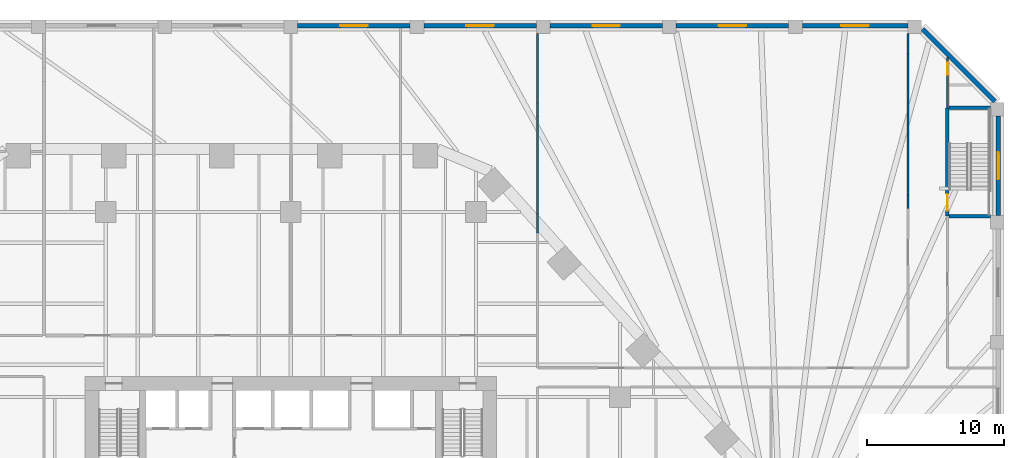
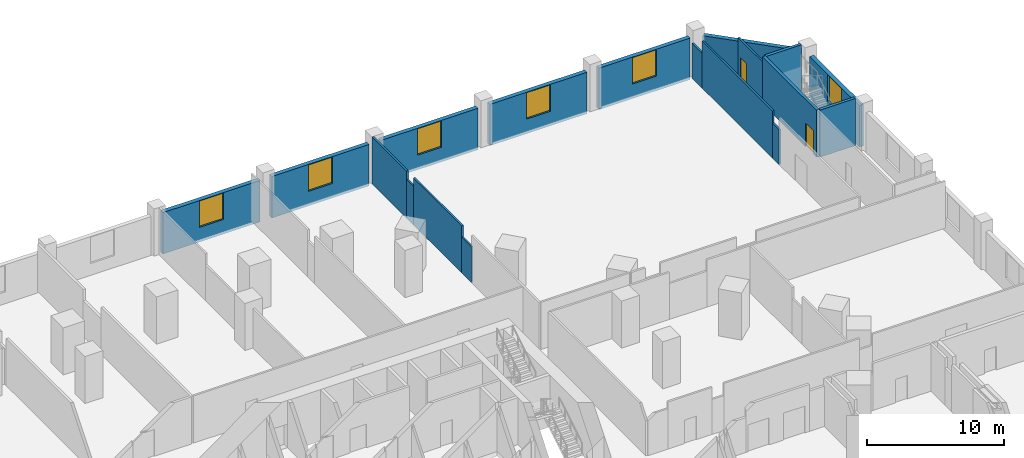
# One storey, part 24 of 32: 18 walls, 6 windows, 2 doors, 8 openings.
"""IFC4 building model written with IfcOpenShell, lengths in metres."""

from ifc_helpers import new_model, si_unit, direction, frame, frame_2d, origin, place, context, subcontext, project, spatial, rectangle, extrude, material, layer, layer_set, type_object, element, fill, save


model = new_model("IFC4")

# Units and contexts
model_context = context("Model", 3, precision=1e-05, world=origin(), true_north=direction((0.0, 1.0)))
body_context = subcontext(model_context, "Body", "Model", "MODEL_VIEW")
ifc_project = project(units=[si_unit("LENGTHUNIT", "METRE"), si_unit("AREAUNIT", "SQUARE_METRE"), si_unit("VOLUMEUNIT", "CUBIC_METRE"), si_unit("PLANEANGLEUNIT", "RADIAN"), si_unit("MASSUNIT", "GRAM", prefix="KILO")], contexts=[model_context])

# Site, building, storey
site_placement = place(None, origin())
site = spatial("IfcSite", under=ifc_project, at=site_placement, CompositionType="ELEMENT")
building_placement = place(site_placement, origin())
building = spatial("IfcBuilding", under=site, at=building_placement, Name="Isthmus Gate Tower", CompositionType="ELEMENT")
storey_placement = place(building_placement, frame((0.0, 0.0, 18.0)))
storey = spatial("IfcBuildingStorey", under=building, at=storey_placement, Name="L02", CompositionType="ELEMENT", Elevation=18.0)

# Walls
ifc_material_1 = material(Name="Fire-rated gypsum board on steel studs", Category="steel")
ifc_layer_1 = layer(ifc_material_1, 0.14990234375)
ifc_layer_set_1 = layer_set([ifc_layer_1], Name="Fire-rated partition 150 EI 60")
wall_type_1 = type_object("IfcWallType", Name="Fire-rated partition 150 EI 60", PredefinedType="PARTITIONING", material=ifc_layer_set_1)
wall_1_placement = place(storey_placement, frame((45.0, 27.242919921875, 0.0), z_axis=(0.0, 0.0, 1.0), x_axis=(0.0, 1.0, 0.0)))
element("IfcWall", 1, at=wall_1_placement, inside=storey, type_object=wall_type_1, Name="Fire-rated partition", PredefinedType="PARTITIONING", context=body_context, shape_type="SweptSolid", body=[
    extrude(rectangle(XDim=1.0, YDim=0.14990234375, at=frame_2d((0.5, 0.0))), origin(), (0.0, 0.0, 1.0), 3.111083984375),
])
wall_2_placement = place(storey_placement, frame((45.0, 28.242919921875, 0.0), z_axis=(0.0, 0.0, 1.0), x_axis=(0.0, 1.0, 0.0)))
element("IfcWall", 2, at=wall_2_placement, inside=storey, type_object=wall_type_1, Name="Fire-rated partition", PredefinedType="PARTITIONING", context=body_context, shape_type="SweptSolid", body=[
    extrude(rectangle(XDim=10.28759765625, YDim=0.14990234375, at=frame_2d((5.143798828125, 0.0))), origin(), (0.0, 0.0, 1.0), 4.199951171875),
])
wall_3_placement = place(storey_placement, frame((45.0, 38.530517578125, 0.0), z_axis=(0.0, 0.0, 1.0), x_axis=(0.0, 1.0, 0.0)))
element("IfcWall", 3, at=wall_3_placement, inside=storey, type_object=wall_type_1, Name="Fire-rated partition", PredefinedType="PARTITIONING", context=body_context, shape_type="SweptSolid", body=[
    extrude(rectangle(XDim=1.469482421875, YDim=0.14990234375, at=frame_2d((0.73486328125, 0.0))), origin(), (0.0, 0.0, 1.0), 3.111083984375),
])

# Wall, opening, door
wall_4_placement = place(storey_placement, frame((47.875, 34.60009765625, 0.0), z_axis=(0.0, 0.0, 1.0), x_axis=(0.0, 1.0, 0.0)))
wall_4 = element("IfcWall", 4, at=wall_4_placement, inside=storey, type_object=wall_type_1, Name="Fire-rated partition", PredefinedType="PARTITIONING", context=body_context, shape_type="SweptSolid", body=[
    extrude(rectangle(XDim=3.676513671875, YDim=0.14990234375, at=frame_2d((1.83837890625, 0.0))), origin(), (0.0, 0.0, 1.0), 3.66650390625),
])
opening_1_placement = place(wall_4_placement, frame((2.39990234375, 0.0, 0.0)))
opening_1 = element("IfcOpeningElement", 5, at=opening_1_placement, cuts=wall_4, Name="Opening DP02-06", PredefinedType="OPENING", context=body_context, shape_type="SweptSolid", body=[
    extrude(rectangle(XDim=0.89990234375, YDim=2.10009765625, at=frame_2d((0.449951171875, 1.050048828125))), frame((0.0, 0.0849609375, 0.0), z_axis=(0.0, -1.0, 0.0), x_axis=(1.0, 0.0, 0.0)), (0.0, 0.0, 1.0), 0.169921875),
])
ifc_material_2 = material(Name="Steel fire door with intumescent seals", Category="steel")
door_type_1 = type_object("IfcDoorType", Name="Fire door 900 x 2100", OperationType="SINGLE_SWING_LEFT", PredefinedType="DOOR", material=ifc_material_2)
door_1_placement = place(opening_1_placement, origin())
door_1 = element("IfcDoor", 6, at=door_1_placement, inside=storey, type_object=door_type_1, Name="Door DP02-06", OperationType="SINGLE_SWING_LEFT", OverallHeight=2.10009765625, OverallWidth=0.89990234375, PredefinedType="DOOR", context=body_context, shape_type="SweptSolid", body=[
    extrude(rectangle(XDim=0.89990234375, YDim=2.10009765625, at=frame_2d((0.449951171875, 1.050048828125))), frame((0.0, 0.02490234375, 0.0), z_axis=(0.0, -1.0, 0.0), x_axis=(1.0, 0.0, 0.0)), (0.0, 0.0, 1.0), 0.050048828125),
])
fill(opening_1, door_1)

# Wall, opening, window
ifc_material_3 = material(Name="Precast concrete C40/50, limestone-faced", Category="masonry")
ifc_layer_2 = layer(ifc_material_3, 0.35009765625)
ifc_layer_set_2 = layer_set([ifc_layer_2], Name="PODIUM CLADDING WALL 350")
wall_type_2 = type_object("IfcWallType", Name="PODIUM CLADDING WALL 350", PredefinedType="SOLIDWALL", material=ifc_layer_set_2)
wall_5_placement = place(storey_placement, frame((51.574951171875, 26.75, -0.39990234375), z_axis=(0.0, 0.0, 1.0), x_axis=(0.0, 1.0, 0.0)))
wall_5 = element("IfcWall", 7, at=wall_5_placement, inside=storey, type_object=wall_type_2, Name="PODIUM WALL", PredefinedType="SOLIDWALL", context=body_context, shape_type="SweptSolid", body=[
    extrude(rectangle(XDim=7.25, YDim=0.35009765625, at=frame_2d((3.625, 0.0))), origin(), (0.0, 0.0, 1.0), 3.699951171875),
])
opening_2_placement = place(wall_5_placement, frame((2.625, 0.0, 1.300048828125)))
opening_2 = element("IfcOpeningElement", 8, at=opening_2_placement, cuts=wall_5, Name="Opening W016", PredefinedType="OPENING", context=body_context, shape_type="SweptSolid", body=[
    extrude(rectangle(XDim=2.0, YDim=2.35009765625, at=frame_2d((1.0, 1.175048828125))), frame((0.0, 0.18505859375, 0.0), z_axis=(0.0, -1.0, 0.0), x_axis=(1.0, 0.0, 0.0)), (0.0, 0.0, 1.0), 0.3701171875),
])
ifc_material_4 = material(Name="Aluminium, pale champagne anodised, laminated glass", Category="aluminium")
window_type = type_object("IfcWindowType", Name="PODIUM SLOT WINDOW 2000 X 2350", PartitioningType="SINGLE_PANEL", PredefinedType="WINDOW", material=ifc_material_4)
window_1_placement = place(opening_2_placement, origin())
window_1 = element("IfcWindow", 9, at=window_1_placement, inside=storey, type_object=window_type, Name="SLOT WINDOW", OverallHeight=2.35009765625, OverallWidth=2.0, PartitioningType="SINGLE_PANEL", PredefinedType="WINDOW", context=body_context, shape_type="SweptSolid", body=[
    extrude(rectangle(XDim=2.0, YDim=2.35009765625, at=frame_2d((1.0, 1.175048828125))), frame((0.0, 0.030029296875, 0.0), z_axis=(0.0, -1.0, 0.0), x_axis=(1.0, 0.0, 0.0)), (0.0, 0.0, 1.0), 0.06005859375),
])
fill(opening_2, window_1)

# Wall
wall_6_placement = place(storey_placement, frame((51.327392578125, 35.071533203125, -0.39990234375), z_axis=(0.0, 0.0, 1.0), x_axis=(-0.707106781187, 0.707106781187, 0.0)))
element("IfcWall", 10, at=wall_6_placement, inside=storey, type_object=wall_type_2, Name="PODIUM WALL", PredefinedType="SOLIDWALL", context=body_context, shape_type="SweptSolid", body=[
    extrude(rectangle(XDim=7.432861328125, YDim=0.35009765625, at=frame_2d((3.71630859375, 0.0))), origin(), (0.0, 0.0, 1.0), 3.699951171875),
])

# Wall, opening, window
wall_7_placement = place(storey_placement, frame((45.0, 40.574951171875, -0.39990234375), z_axis=(0.0, 0.0, 1.0), x_axis=(-1.0, 0.0, 0.0)))
wall_7 = element("IfcWall", 11, at=wall_7_placement, inside=storey, type_object=wall_type_2, Name="PODIUM WALL", PredefinedType="SOLIDWALL", context=body_context, shape_type="SweptSolid", body=[
    extrude(rectangle(XDim=7.699951171875, YDim=0.35009765625, at=frame_2d((3.85009765625, 0.0))), origin(), (0.0, 0.0, 1.0), 3.699951171875),
])
opening_3_placement = place(wall_7_placement, frame((2.85009765625, 0.0, 1.300048828125)))
opening_3 = element("IfcOpeningElement", 12, at=opening_3_placement, cuts=wall_7, Name="Opening W017", PredefinedType="OPENING", context=body_context, shape_type="SweptSolid", body=[
    extrude(rectangle(XDim=2.0, YDim=2.35009765625, at=frame_2d((1.0, 1.175048828125))), frame((0.0, 0.18505859375, 0.0), z_axis=(0.0, -1.0, 0.0), x_axis=(1.0, 0.0, 0.0)), (0.0, 0.0, 1.0), 0.3701171875),
])
window_2_placement = place(opening_3_placement, origin())
window_2 = element("IfcWindow", 13, at=window_2_placement, inside=storey, type_object=window_type, Name="SLOT WINDOW", OverallHeight=2.35009765625, OverallWidth=2.0, PartitioningType="SINGLE_PANEL", PredefinedType="WINDOW", context=body_context, shape_type="SweptSolid", body=[
    extrude(rectangle(XDim=2.0, YDim=2.35009765625, at=frame_2d((1.0, 1.175048828125))), frame((0.0, 0.030029296875, 0.0), z_axis=(0.0, -1.0, 0.0), x_axis=(1.0, 0.0, 0.0)), (0.0, 0.0, 1.0), 0.06005859375),
])
fill(opening_3, window_2)

wall_8_placement = place(storey_placement, frame((36.300048828125, 40.574951171875, -0.39990234375), z_axis=(0.0, 0.0, 1.0), x_axis=(-1.0, 0.0, 0.0)))
wall_8 = element("IfcWall", 14, at=wall_8_placement, inside=storey, type_object=wall_type_2, Name="PODIUM WALL", PredefinedType="SOLIDWALL", context=body_context, shape_type="SweptSolid", body=[
    extrude(rectangle(XDim=8.199951171875, YDim=0.35009765625, at=frame_2d((4.10009765625, 0.0))), origin(), (0.0, 0.0, 1.0), 3.699951171875),
])
opening_4_placement = place(wall_8_placement, frame((3.10009765625, 0.0, 1.300048828125)))
opening_4 = element("IfcOpeningElement", 15, at=opening_4_placement, cuts=wall_8, Name="Opening W018", PredefinedType="OPENING", context=body_context, shape_type="SweptSolid", body=[
    extrude(rectangle(XDim=2.0, YDim=2.35009765625, at=frame_2d((1.0, 1.175048828125))), frame((0.0, 0.18505859375, 0.0), z_axis=(0.0, -1.0, 0.0), x_axis=(1.0, 0.0, 0.0)), (0.0, 0.0, 1.0), 0.3701171875),
])
window_3_placement = place(opening_4_placement, origin())
window_3 = element("IfcWindow", 16, at=window_3_placement, inside=storey, type_object=window_type, Name="SLOT WINDOW", OverallHeight=2.35009765625, OverallWidth=2.0, PartitioningType="SINGLE_PANEL", PredefinedType="WINDOW", context=body_context, shape_type="SweptSolid", body=[
    extrude(rectangle(XDim=2.0, YDim=2.35009765625, at=frame_2d((1.0, 1.175048828125))), frame((0.0, 0.030029296875, 0.0), z_axis=(0.0, -1.0, 0.0), x_axis=(1.0, 0.0, 0.0)), (0.0, 0.0, 1.0), 0.06005859375),
])
fill(opening_4, window_3)

wall_9_placement = place(storey_placement, frame((27.10009765625, 40.574951171875, -0.39990234375), z_axis=(0.0, 0.0, 1.0), x_axis=(-1.0, 0.0, 0.0)))
wall_9 = element("IfcWall", 17, at=wall_9_placement, inside=storey, type_object=wall_type_2, Name="PODIUM WALL", PredefinedType="SOLIDWALL", context=body_context, shape_type="SweptSolid", body=[
    extrude(rectangle(XDim=8.2001953125, YDim=0.35009765625, at=frame_2d((4.10009765625, 0.0))), origin(), (0.0, 0.0, 1.0), 3.699951171875),
])
opening_5_placement = place(wall_9_placement, frame((3.10009765625, 0.0, 1.300048828125)))
opening_5 = element("IfcOpeningElement", 18, at=opening_5_placement, cuts=wall_9, Name="Opening W019", PredefinedType="OPENING", context=body_context, shape_type="SweptSolid", body=[
    extrude(rectangle(XDim=2.0, YDim=2.35009765625, at=frame_2d((1.0, 1.175048828125))), frame((0.0, 0.18505859375, 0.0), z_axis=(0.0, -1.0, 0.0), x_axis=(1.0, 0.0, 0.0)), (0.0, 0.0, 1.0), 0.3701171875),
])
window_4_placement = place(opening_5_placement, origin())
window_4 = element("IfcWindow", 19, at=window_4_placement, inside=storey, type_object=window_type, Name="SLOT WINDOW", OverallHeight=2.35009765625, OverallWidth=2.0, PartitioningType="SINGLE_PANEL", PredefinedType="WINDOW", context=body_context, shape_type="SweptSolid", body=[
    extrude(rectangle(XDim=2.0, YDim=2.35009765625, at=frame_2d((1.0, 1.175048828125))), frame((0.0, 0.030029296875, 0.0), z_axis=(0.0, -1.0, 0.0), x_axis=(1.0, 0.0, 0.0)), (0.0, 0.0, 1.0), 0.06005859375),
])
fill(opening_5, window_4)

wall_10_placement = place(storey_placement, frame((17.89990234375, 40.574951171875, -0.39990234375), z_axis=(0.0, 0.0, 1.0), x_axis=(-1.0, 0.0, 0.0)))
wall_10 = element("IfcWall", 20, at=wall_10_placement, inside=storey, type_object=wall_type_2, Name="PODIUM WALL", PredefinedType="SOLIDWALL", context=body_context, shape_type="SweptSolid", body=[
    extrude(rectangle(XDim=8.199951171875, YDim=0.35009765625, at=frame_2d((4.10009765625, 0.0))), origin(), (0.0, 0.0, 1.0), 3.699951171875),
])
opening_6_placement = place(wall_10_placement, frame((3.10009765625, 0.0, 1.300048828125)))
opening_6 = element("IfcOpeningElement", 21, at=opening_6_placement, cuts=wall_10, Name="Opening W020", PredefinedType="OPENING", context=body_context, shape_type="SweptSolid", body=[
    extrude(rectangle(XDim=2.0, YDim=2.35009765625, at=frame_2d((1.0, 1.175048828125))), frame((0.0, 0.18505859375, 0.0), z_axis=(0.0, -1.0, 0.0), x_axis=(1.0, 0.0, 0.0)), (0.0, 0.0, 1.0), 0.3701171875),
])
window_5_placement = place(opening_6_placement, origin())
window_5 = element("IfcWindow", 22, at=window_5_placement, inside=storey, type_object=window_type, Name="SLOT WINDOW", OverallHeight=2.35009765625, OverallWidth=2.0, PartitioningType="SINGLE_PANEL", PredefinedType="WINDOW", context=body_context, shape_type="SweptSolid", body=[
    extrude(rectangle(XDim=2.0, YDim=2.35009765625, at=frame_2d((1.0, 1.175048828125))), frame((0.0, 0.030029296875, 0.0), z_axis=(0.0, -1.0, 0.0), x_axis=(1.0, 0.0, 0.0)), (0.0, 0.0, 1.0), 0.06005859375),
])
fill(opening_6, window_5)

wall_11_placement = place(storey_placement, frame((8.699951171875, 40.574951171875, -0.39990234375), z_axis=(0.0, 0.0, 1.0), x_axis=(-1.0, 0.0, 0.0)))
wall_11 = element("IfcWall", 23, at=wall_11_placement, inside=storey, type_object=wall_type_2, Name="PODIUM WALL", PredefinedType="SOLIDWALL", context=body_context, shape_type="SweptSolid", body=[
    extrude(rectangle(XDim=8.199951171875, YDim=0.35009765625, at=frame_2d((4.10009765625, 0.0))), origin(), (0.0, 0.0, 1.0), 3.699951171875),
])
opening_7_placement = place(wall_11_placement, frame((3.10009765625, 0.0, 1.300048828125)))
opening_7 = element("IfcOpeningElement", 24, at=opening_7_placement, cuts=wall_11, Name="Opening W021", PredefinedType="OPENING", context=body_context, shape_type="SweptSolid", body=[
    extrude(rectangle(XDim=2.0, YDim=2.35009765625, at=frame_2d((1.0, 1.175048828125))), frame((0.0, 0.18505859375, 0.0), z_axis=(0.0, -1.0, 0.0), x_axis=(1.0, 0.0, 0.0)), (0.0, 0.0, 1.0), 0.3701171875),
])
window_6_placement = place(opening_7_placement, origin())
window_6 = element("IfcWindow", 25, at=window_6_placement, inside=storey, type_object=window_type, Name="SLOT WINDOW", OverallHeight=2.35009765625, OverallWidth=2.0, PartitioningType="SINGLE_PANEL", PredefinedType="WINDOW", context=body_context, shape_type="SweptSolid", body=[
    extrude(rectangle(XDim=2.0, YDim=2.35009765625, at=frame_2d((1.0, 1.175048828125))), frame((0.0, 0.030029296875, 0.0), z_axis=(0.0, -1.0, 0.0), x_axis=(1.0, 0.0, 0.0)), (0.0, 0.0, 1.0), 0.06005859375),
])
fill(opening_7, window_6)

# Walls
ifc_material_5 = material(Name="Gypsum board on cold-formed steel studs", Category="steel")
ifc_layer_3 = layer(ifc_material_5, 0.14990234375)
ifc_layer_set_3 = layer_set([ifc_layer_3])
wall_type_3 = type_object("IfcWallType", Name="Partition 150 gypsum board on steel studs", PredefinedType="PARTITIONING", material=ifc_layer_set_3)
wall_12_placement = place(storey_placement, frame((18.0, 25.4794921875, 0.0), z_axis=(0.0, 0.0, 1.0), x_axis=(0.0, 1.0, 0.0)))
element("IfcWall", 26, at=wall_12_placement, inside=storey, type_object=wall_type_3, Name="Partition", PredefinedType="PARTITIONING", context=body_context, shape_type="SweptSolid", body=[
    extrude(rectangle(XDim=1.419921875, YDim=0.14990234375, at=frame_2d((0.7099609375, 0.0))), origin(), (0.0, 0.0, 1.0), 3.199951171875),
])
wall_13_placement = place(storey_placement, frame((18.0, 26.8994140625, 0.0), z_axis=(0.0, 0.0, 1.0), x_axis=(0.0, 1.0, 0.0)))
element("IfcWall", 27, at=wall_13_placement, inside=storey, type_object=wall_type_3, Name="Partition", PredefinedType="PARTITIONING", context=body_context, shape_type="SweptSolid", body=[
    extrude(rectangle(XDim=7.05517578125, YDim=0.14990234375, at=frame_2d((3.527587890625, 0.0))), origin(), (0.0, 0.0, 1.0), 4.199951171875),
])
wall_14_placement = place(storey_placement, frame((18.0, 33.95458984375, 0.0), z_axis=(0.0, 0.0, 1.0), x_axis=(0.0, 1.0, 0.0)))
element("IfcWall", 28, at=wall_14_placement, inside=storey, type_object=wall_type_3, Name="Partition", PredefinedType="PARTITIONING", context=body_context, shape_type="SweptSolid", body=[
    extrude(rectangle(XDim=1.0, YDim=0.14990234375, at=frame_2d((0.5, 0.0))), origin(), (0.0, 0.0, 1.0), 3.45068359375),
])
wall_15_placement = place(storey_placement, frame((18.0, 34.95458984375, 0.0), z_axis=(0.0, 0.0, 1.0), x_axis=(0.0, 1.0, 0.0)))
element("IfcWall", 29, at=wall_15_placement, inside=storey, type_object=wall_type_3, Name="Partition", PredefinedType="PARTITIONING", context=body_context, shape_type="SweptSolid", body=[
    extrude(rectangle(XDim=5.04541015625, YDim=0.14990234375, at=frame_2d((2.522705078125, 0.0))), origin(), (0.0, 0.0, 1.0), 4.199951171875),
])
ifc_material_6 = material(Name="Concrete f'c 40 MPa", Category="concrete")
ifc_layer_4 = layer(ifc_material_6, 0.25)
ifc_layer_set_4 = layer_set([ifc_layer_4])
wall_type_4 = type_object("IfcWallType", Name="Stair shaft wall 250 reinforced concrete", PredefinedType="SHEAR", material=ifc_layer_set_4)
for number, where, z_axis, x_axis, name in (
    (30, (48.0, 26.699951171875, 0.0), (0.0, 0.0, 1.0), (1.0, 0.0, 0.0), "Stair shaft wall"),
    (31, (48.0, 34.60009765625, 0.0), (0.0, 0.0, 1.0), (1.0, 0.0, 0.0), "Stair shaft wall"),
):
    element("IfcWall", number, at=place(storey_placement, frame(where, z_axis=z_axis, x_axis=x_axis)), inside=storey, type_object=wall_type_4, Name=name, PredefinedType="SHEAR", context=body_context, shape_type="SweptSolid", body=[
        extrude(rectangle(XDim=3.0, YDim=0.25, at=frame_2d((1.5, 0.0))), origin(), (0.0, 0.0, 1.0), 4.199951171875),
    ])

# Wall, opening, door
wall_16_placement = place(storey_placement, frame((47.875, 26.699951171875, 0.0), z_axis=(0.0, 0.0, 1.0), x_axis=(0.0, 1.0, 0.0)))
wall_16 = element("IfcWall", 32, at=wall_16_placement, inside=storey, type_object=wall_type_4, Name="Stair shaft wall", PredefinedType="SHEAR", context=body_context, shape_type="SweptSolid", body=[
    extrude(rectangle(XDim=7.900146484375, YDim=0.25, at=frame_2d((3.9501953125, 0.0))), origin(), (0.0, 0.0, 1.0), 4.199951171875),
])
opening_8_placement = place(wall_16_placement, frame((0.39990234375, 0.0, 0.0)))
opening_8 = element("IfcOpeningElement", 33, at=opening_8_placement, cuts=wall_16, Name="Opening DP02-04", PredefinedType="OPENING", context=body_context, shape_type="SweptSolid", body=[
    extrude(rectangle(XDim=1.199951171875, YDim=2.10009765625, at=frame_2d((0.60009765625, 1.050048828125))), frame((0.0, 0.135009765625, 0.0), z_axis=(0.0, -1.0, 0.0), x_axis=(1.0, 0.0, 0.0)), (0.0, 0.0, 1.0), 0.27001953125),
])
ifc_material_7 = material(Name="Steel fire door with intumescent seals", Category="steel")
door_type_2 = type_object("IfcDoorType", Name="Fire door 1200 x 2100", OperationType="SINGLE_SWING_LEFT", PredefinedType="DOOR", material=ifc_material_7)
door_2_placement = place(opening_8_placement, origin())
door_2 = element("IfcDoor", 34, at=door_2_placement, inside=storey, type_object=door_type_2, Name="Door DP02-04", OperationType="SINGLE_SWING_LEFT", OverallHeight=2.10009765625, OverallWidth=1.199951171875, PredefinedType="DOOR", context=body_context, shape_type="SweptSolid", body=[
    extrude(rectangle(XDim=1.199951171875, YDim=2.10009765625, at=frame_2d((0.60009765625, 1.050048828125))), frame((0.0, 0.02490234375, 0.0), z_axis=(0.0, -1.0, 0.0), x_axis=(1.0, 0.0, 0.0)), (0.0, 0.0, 1.0), 0.050048828125),
])
fill(opening_8, door_2)

save(model, "model.ifc")
